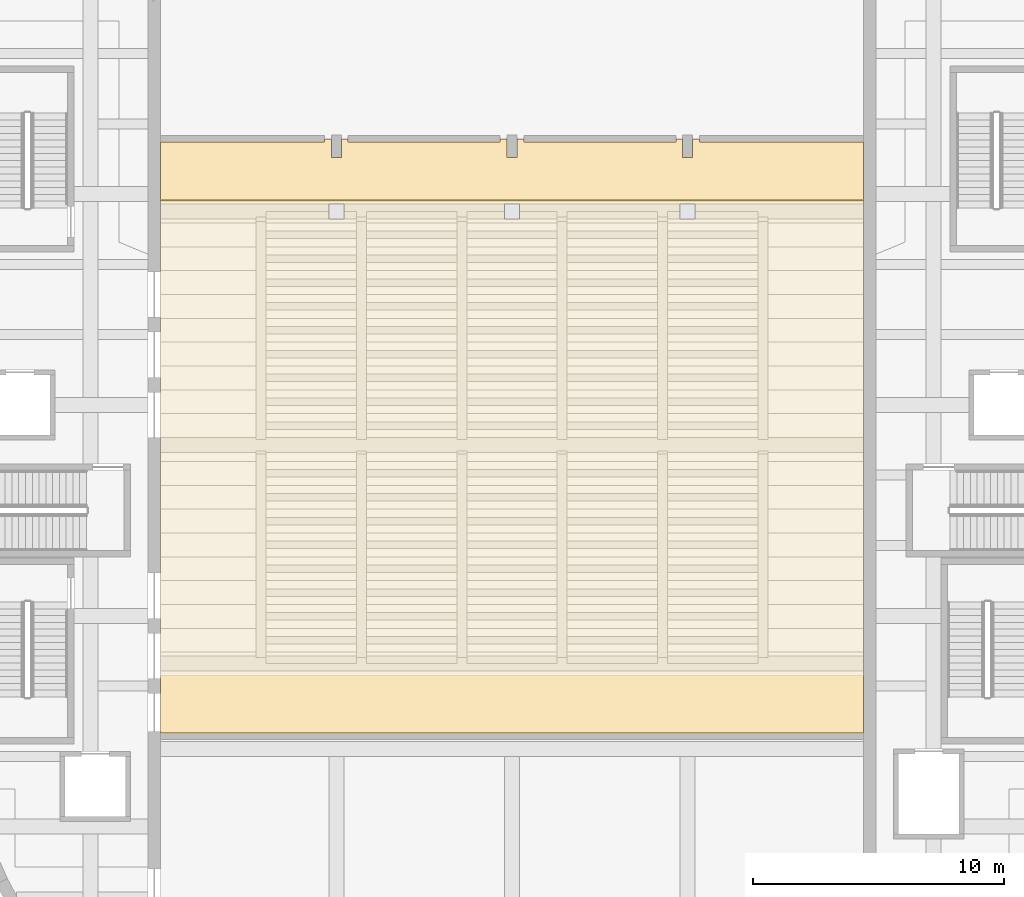
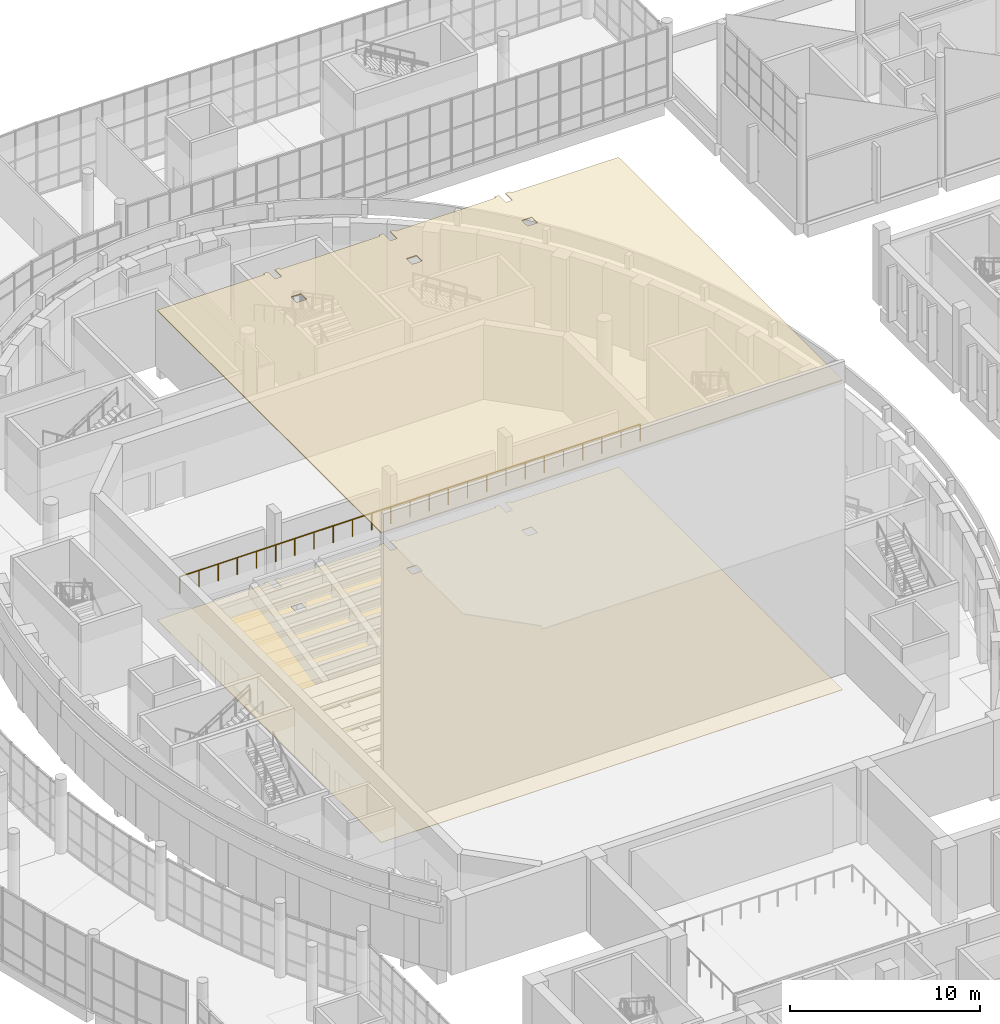
# One storey, part 103 of 119: 2 coverings, 1 railing.
"""IFC4 building model written with IfcOpenShell, lengths in metres."""

import ifcopenshell
import ifcopenshell.guid

model = None  # the IFC model being written
_history = None  # IfcOwnerHistory: only IFC2X3 demands one
_inside = {}  # id of a spatial element -> (the spatial element, [elements in it])
_under = {}  # id of a project, library or spatial element -> (it, [spatial elements below it])
_declared = {}  # id of a project -> (the project, [libraries it declares])
_typed = {}  # id of a type object -> (the type object, [elements of that type])
_made_of = {}  # id of a material, layer set ... -> (it, [elements and type objects made of it])


def new_model(schema):
    """Start an empty IFC model of exactly this schema.

    Asked for "IFC4X3", IfcOpenShell would pick the latest addendum, in which some entities
    have other attributes; the version numbers below select the first issue.
    IFC2X3 requires an IfcOwnerHistory on every rooted entity: one is made here for all.
    """
    global model, _history
    if schema == "IFC4X3":
        model = ifcopenshell.file(schema_version=(4, 3, 0, 0))
    else:
        model = ifcopenshell.file(schema=schema)
    _inside.clear()
    _under.clear()
    _declared.clear()
    _typed.clear()
    _made_of.clear()
    _history = None
    if model.schema == "IFC2X3":
        org = make("IfcOrganization", Name="unknown")
        user = make(
            "IfcPersonAndOrganization",
            ThePerson=make("IfcPerson", FamilyName="unknown"),
            TheOrganization=org,
        )
        app = make(
            "IfcApplication",
            ApplicationDeveloper=org,
            Version="unknown",
            ApplicationFullName="unknown",
            ApplicationIdentifier="unknown",
        )
        _history = make(
            "IfcOwnerHistory",
            OwningUser=user,
            OwningApplication=app,
            ChangeAction="ADDED",
            CreationDate=0,
        )
    return model


def make(cls, **values):
    """One entity of the class cls with the attributes given. An attribute that is None is left unset."""
    return model.create_entity(
        cls, **{name: value for name, value in values.items() if value is not None}
    )


def rooted(cls, **values):
    """An entity with a GlobalId (a new one), such as an element, a storey or a relation."""
    return make(cls, GlobalId=ifcopenshell.guid.new(), OwnerHistory=_history, **values)


def si_unit(unit_type, name, prefix=None):
    """IfcSIUnit, for example si_unit("LENGTHUNIT", "METRE", prefix="MILLI")."""
    return make("IfcSIUnit", UnitType=unit_type, Prefix=prefix, Name=name)


def assignment(units):
    """IfcUnitAssignment: the units of a project."""
    return None if units is None else make("IfcUnitAssignment", Units=units)


def point(xyz):
    """IfcCartesianPoint."""
    return None if xyz is None else make("IfcCartesianPoint", Coordinates=xyz)


def direction(xyz):
    """IfcDirection."""
    return None if xyz is None else make("IfcDirection", DirectionRatios=xyz)


def frame(location, z_axis=None, x_axis=None):
    """IfcAxis2Placement3D, a coordinate frame: its origin and axes. An axis left out is left unset."""
    return make(
        "IfcAxis2Placement3D",
        Location=point(location),
        Axis=direction(z_axis),
        RefDirection=direction(x_axis),
    )


def frame_2d(location, x_axis=None):
    """IfcAxis2Placement2D, a coordinate frame in the plane: its origin and x axis."""
    return make(
        "IfcAxis2Placement2D", Location=point(location), RefDirection=direction(x_axis)
    )


def origin():
    """The frame at (0, 0, 0) with its axes left unset."""
    return frame((0.0, 0.0, 0.0))


def origin_2d():
    """The frame at (0, 0) in the plane with its x axis left unset."""
    return frame_2d((0.0, 0.0))


def place(relative_to, where):
    """IfcLocalPlacement: puts the frame where relative to a parent placement (None: the world)."""
    return make(
        "IfcLocalPlacement", PlacementRelTo=relative_to, RelativePlacement=where
    )


def context(
    kind, dimensions, precision=None, world=None, true_north=None, identifier=None
):
    """IfcGeometricRepresentationContext, for example the 3D "Model" context."""
    return make(
        "IfcGeometricRepresentationContext",
        ContextIdentifier=identifier,
        ContextType=kind,
        CoordinateSpaceDimension=dimensions,
        Precision=precision,
        WorldCoordinateSystem=world,
        TrueNorth=true_north,
    )


def subcontext(parent, identifier, kind, view, scale=None):
    """IfcGeometricRepresentationSubContext, for example "Body" below "Model"."""
    return make(
        "IfcGeometricRepresentationSubContext",
        ContextIdentifier=identifier,
        ContextType=kind,
        ParentContext=parent,
        TargetScale=scale,
        TargetView=view,
    )


def project(units=None, contexts=None):
    """IfcProject with its units and contexts."""
    return rooted(
        "IfcProject",
        Name="project",
        RepresentationContexts=contexts,
        UnitsInContext=assignment(units),
    )


def spatial(cls, under=None, at=None, **own):
    """A site, building, storey or space (cls), placed at a placement, below another one or the project."""
    s = rooted(cls, ObjectPlacement=at, **own)
    if under is not None:
        _under.setdefault(under.id(), (under, []))[1].append(s)
    return s


def polyline(points):
    """IfcPolyline through the points."""
    return make("IfcPolyline", Points=[point(p) for p in points])


def profile(cls, at=None, kind="AREA", **sizes):
    """A parametric profile (cls). Its sizes go by their IFC names, for example OverallWidth=200.0."""
    return make(cls, ProfileType=kind, Position=at, **sizes)


def circle(**sizes):
    """IfcCircleProfileDef."""
    return profile("IfcCircleProfileDef", **sizes)


def outline(outer, holes=None, kind="AREA"):
    """IfcArbitraryClosedProfileDef: a profile drawn as a closed curve; with holes, ...WithVoids."""
    if holes is None:
        return make("IfcArbitraryClosedProfileDef", ProfileType=kind, OuterCurve=outer)
    return make(
        "IfcArbitraryProfileDefWithVoids",
        ProfileType=kind,
        OuterCurve=outer,
        InnerCurves=holes,
    )


def extrude(swept, where, along, depth):
    """IfcExtrudedAreaSolid: the profile swept, set in the frame where, extruded along a direction by depth."""
    return make(
        "IfcExtrudedAreaSolid",
        SweptArea=swept,
        Position=where,
        ExtrudedDirection=direction(along),
        Depth=depth,
    )


def shape(context_of_items, identifier, shape_type, items):
    """IfcShapeRepresentation: the items that make up one representation, for example the "Body"."""
    return make(
        "IfcShapeRepresentation",
        ContextOfItems=context_of_items,
        RepresentationIdentifier=identifier,
        RepresentationType=shape_type,
        Items=items,
    )


def material(Name=None, Category=None):
    """IfcMaterial."""
    return make("IfcMaterial", Name=Name, Category=Category)


def layer(
    of_material, thickness, ventilated=None, Name=None, Category=None, Priority=None
):
    """IfcMaterialLayer: one layer of a wall or slab, of a material (None: an air gap)."""
    return make(
        "IfcMaterialLayer",
        Material=of_material,
        LayerThickness=thickness,
        IsVentilated=ventilated,
        Name=Name,
        Category=Category,
        Priority=Priority,
    )


def layer_set(layers, Name=None):
    """IfcMaterialLayerSet."""
    return make("IfcMaterialLayerSet", MaterialLayers=layers, LayerSetName=Name)


def made_of(thing, what):
    """Note that an element or type object is made of a material, layer set ...; save() writes the relation."""
    if what is not None:
        _made_of.setdefault(what.id(), (what, []))[1].append(thing)
    return thing


def type_object(cls, material=None, **own):
    """A type object (cls), such as IfcWallType, which elements share."""
    return made_of(rooted(cls, **own), material)


def element(
    cls,
    number,
    at=None,
    inside=None,
    cuts=None,
    type_object=None,
    material=None,
    context=None,
    identifier="Body",
    shape_type=None,
    held_by="IfcProductDefinitionShape",
    body=None,
    shapes=None,
    **own,
):
    """One element of the class cls, such as IfcWall. Its Tag is "e" and its number.

    at: its placement. inside: the storey or other place that contains it. cuts: it is an
    opening in that element (IfcRelVoidsElement). A single representation is given by context,
    identifier, shape_type and body (its items); several are given by shapes. held_by: the class
    of the entity that holds the representations. save() writes the other relations.
    """
    e = rooted(cls, Tag="e%d" % number, ObjectPlacement=at, **own)
    if body is not None:
        shapes = [shape(context, identifier, shape_type, body)]
    if shapes is not None:
        e.Representation = make(held_by, Representations=shapes)
    if inside is not None:
        _inside.setdefault(inside.id(), (inside, []))[1].append(e)
    if cuts is not None:
        rooted(
            "IfcRelVoidsElement", RelatingBuildingElement=cuts, RelatedOpeningElement=e
        )
    if type_object is not None:
        _typed.setdefault(type_object.id(), (type_object, []))[1].append(e)
    return made_of(e, material)


def aggregate(whole, parts):
    """IfcRelAggregates: a whole, such as a stair, and the parts it consists of."""
    return rooted("IfcRelAggregates", RelatingObject=whole, RelatedObjects=parts)


def save(model, path):
    """Write the relations noted so far, then the file.

    IfcRelAggregates (storeys below a building ...), IfcRelContainedInSpatialStructure (elements
    in a storey), IfcRelDefinesByType, IfcRelAssociatesMaterial and IfcRelDeclares: one each for
    every whole, place, type object, material and project.
    """
    for whole, parts in _under.values():
        aggregate(whole, parts)
    for where, things in _inside.values():
        rooted(
            "IfcRelContainedInSpatialStructure",
            RelatedElements=things,
            RelatingStructure=where,
        )
    for kind, things in _typed.values():
        rooted("IfcRelDefinesByType", RelatedObjects=things, RelatingType=kind)
    for what, things in _made_of.values():
        rooted("IfcRelAssociatesMaterial", RelatedObjects=things, RelatingMaterial=what)
    for by, libraries in _declared.values():
        rooted("IfcRelDeclares", RelatingContext=by, RelatedDefinitions=libraries)
    model.write(path)


model = new_model("IFC4")

# Units and contexts
model_context = context("Model", 3, precision=1e-05, world=origin(), true_north=direction((0.0, 1.0)))
body_context = subcontext(model_context, "Body", "Model", "MODEL_VIEW")
ifc_project = project(units=[si_unit("LENGTHUNIT", "METRE"), si_unit("AREAUNIT", "SQUARE_METRE"), si_unit("VOLUMEUNIT", "CUBIC_METRE"), si_unit("PLANEANGLEUNIT", "RADIAN"), si_unit("MASSUNIT", "GRAM", prefix="KILO")], contexts=[model_context])

# Site, building, storey
site_placement = place(None, origin())
site = spatial("IfcSite", under=ifc_project, at=site_placement, CompositionType="ELEMENT")
building_placement = place(site_placement, origin())
building = spatial("IfcBuilding", under=site, at=building_placement, Name="Larchfold Concert Hall", CompositionType="ELEMENT")
storey_placement = place(building_placement, frame((0.0, 0.0, 4.800048828125)))
storey = spatial("IfcBuildingStorey", under=building, at=storey_placement, Name="L01", CompositionType="ELEMENT", Elevation=4.800048828125)

# Coverings
ifc_material_1 = material(Name="Acoustic timber lining", Category="wood")
ifc_layer_1 = layer(ifc_material_1, 0.06005859375)
ifc_layer_set_1 = layer_set([ifc_layer_1], Name="Acoustic timber lining")
covering_type_1 = type_object("IfcCoveringType", Name="Ceiling acoustic timber lining 60", PredefinedType="CEILING", material=ifc_layer_set_1)
covering_1_placement = place(storey_placement, frame((0.0, 0.0, 19.83984375)))
element("IfcCovering", 1, at=covering_1_placement, inside=storey, type_object=covering_type_1, Name="Ceiling Concert Hall Stalls", PredefinedType="CEILING", context=body_context, shape_type="SweptSolid", body=[
    extrude(outline(polyline([(28.60009765625, 71.52490234375), (56.60009765625, 71.52490234375), (56.60009765625, 95.074951171875), (50.070068359375, 95.074951171875), (50.070068359375, 95.199951171875), (49.800048828125, 95.199951171875), (49.800048828125, 94.449951171875), (49.400146484375, 94.449951171875), (49.400146484375, 95.199951171875), (49.130126953125, 95.199951171875), (49.130126953125, 95.074951171875), (43.070068359375, 95.074951171875), (43.070068359375, 95.199951171875), (42.800048828125, 95.199951171875), (42.800048828125, 94.449951171875), (42.400146484375, 94.449951171875), (42.400146484375, 95.199951171875), (42.130126953125, 95.199951171875), (42.130126953125, 95.074951171875), (36.070068359375, 95.074951171875), (36.070068359375, 95.199951171875), (35.800048828125, 95.199951171875), (35.800048828125, 94.449951171875), (35.400146484375, 94.449951171875), (35.400146484375, 95.199951171875), (35.130126953125, 95.199951171875), (35.130126953125, 95.074951171875), (28.60009765625, 95.074951171875), (28.60009765625, 71.52490234375)]), holes=[polyline([(49.900146484375, 92.60009765625), (49.900146484375, 92.0), (49.300048828125, 92.0), (49.300048828125, 92.60009765625), (49.900146484375, 92.60009765625)]), polyline([(42.900146484375, 92.60009765625), (42.900146484375, 92.0), (42.300048828125, 92.0), (42.300048828125, 92.60009765625), (42.900146484375, 92.60009765625)]), polyline([(35.900146484375, 92.60009765625), (35.900146484375, 92.0), (35.300048828125, 92.0), (35.300048828125, 92.60009765625), (35.900146484375, 92.60009765625)])]), origin(), (0.0, 0.0, 1.0), 0.06005859375),
])
ifc_material_2 = material(Name="Oak boards on battens")
ifc_layer_2 = layer(ifc_material_2, 0.02490234375)
ifc_layer_set_2 = layer_set([ifc_layer_2], Name="Oak boards on battens")
covering_type_2 = type_object("IfcCoveringType", Name="Floor finish timber boards 25", PredefinedType="FLOORING", material=ifc_layer_set_2)
covering_2_placement = place(storey_placement, origin())
element("IfcCovering", 2, at=covering_2_placement, inside=storey, type_object=covering_type_2, Name="Floor finish Concert Hall Stalls", PredefinedType="FLOORING", context=body_context, shape_type="SweptSolid", body=[
    extrude(outline(polyline([(28.60009765625, 71.52490234375), (56.60009765625, 71.52490234375), (56.60009765625, 95.074951171875), (50.070068359375, 95.074951171875), (50.070068359375, 95.199951171875), (49.800048828125, 95.199951171875), (49.800048828125, 94.449951171875), (49.400146484375, 94.449951171875), (49.400146484375, 95.199951171875), (49.130126953125, 95.199951171875), (49.130126953125, 95.074951171875), (43.070068359375, 95.074951171875), (43.070068359375, 95.199951171875), (42.800048828125, 95.199951171875), (42.800048828125, 94.449951171875), (42.400146484375, 94.449951171875), (42.400146484375, 95.199951171875), (42.130126953125, 95.199951171875), (42.130126953125, 95.074951171875), (36.070068359375, 95.074951171875), (36.070068359375, 95.199951171875), (35.800048828125, 95.199951171875), (35.800048828125, 94.449951171875), (35.400146484375, 94.449951171875), (35.400146484375, 95.199951171875), (35.130126953125, 95.199951171875), (35.130126953125, 95.074951171875), (28.60009765625, 95.074951171875), (28.60009765625, 71.52490234375)]), holes=[polyline([(49.900146484375, 92.60009765625), (49.900146484375, 92.0), (49.300048828125, 92.0), (49.300048828125, 92.60009765625), (49.900146484375, 92.60009765625)]), polyline([(42.900146484375, 92.60009765625), (42.900146484375, 92.0), (42.300048828125, 92.0), (42.300048828125, 92.60009765625), (42.900146484375, 92.60009765625)]), polyline([(35.900146484375, 92.60009765625), (35.900146484375, 92.0), (35.300048828125, 92.0), (35.300048828125, 92.60009765625), (35.900146484375, 92.60009765625)])]), origin(), (0.0, 0.0, 1.0), 0.02490234375),
])

# Railing
ifc_material_3 = material(Name="Stainless steel balustrade", Category="steel")
railing_type = type_object("IfcRailingType", Name="Stalls guard 1100", PredefinedType="GUARDRAIL", material=ifc_material_3)
railing_placement = place(storey_placement, frame((28.6298828125, 92.75, 3.114013671875)))
element("IfcRailing", 3, at=railing_placement, inside=storey, type_object=railing_type, Name="Guard GR0118", PredefinedType="GUARDRAIL", context=body_context, shape_type="SweptSolid", body=[
    extrude(circle(Radius=0.02392578125, at=origin_2d()), frame((0.0, 0.0, 1.076171875), z_axis=(1.0, 0.0, 0.0), x_axis=(0.0, 1.0, 0.0)), (0.0, 0.0, 1.0), 27.940185546875),
    extrude(circle(Radius=0.02099609375, at=origin_2d()), origin(), (0.0, 0.0, 1.0), 1.052001953125),
    extrude(circle(Radius=0.02099609375, at=origin_2d()), frame((1.1640625, 0.0, 0.0)), (0.0, 0.0, 1.0), 1.052001953125),
    extrude(circle(Radius=0.02099609375, at=origin_2d()), frame((2.328369140625, 0.0, 0.0)), (0.0, 0.0, 1.0), 1.052001953125),
    extrude(circle(Radius=0.02099609375, at=origin_2d()), frame((3.492431640625, 0.0, 0.0)), (0.0, 0.0, 1.0), 1.052001953125),
    extrude(circle(Radius=0.02099609375, at=origin_2d()), frame((4.65673828125, 0.0, 0.0)), (0.0, 0.0, 1.0), 1.052001953125),
    extrude(circle(Radius=0.02099609375, at=origin_2d()), frame((5.82080078125, 0.0, 0.0)), (0.0, 0.0, 1.0), 1.052001953125),
    extrude(circle(Radius=0.02099609375, at=origin_2d()), frame((6.985107421875, 0.0, 0.0)), (0.0, 0.0, 1.0), 1.052001953125),
    extrude(circle(Radius=0.02099609375, at=origin_2d()), frame((8.149169921875, 0.0, 0.0)), (0.0, 0.0, 1.0), 1.052001953125),
    extrude(circle(Radius=0.02099609375, at=origin_2d()), frame((9.3134765625, 0.0, 0.0)), (0.0, 0.0, 1.0), 1.052001953125),
    extrude(circle(Radius=0.02099609375, at=origin_2d()), frame((10.4775390625, 0.0, 0.0)), (0.0, 0.0, 1.0), 1.052001953125),
    extrude(circle(Radius=0.02099609375, at=origin_2d()), frame((11.641845703125, 0.0, 0.0)), (0.0, 0.0, 1.0), 1.052001953125),
    extrude(circle(Radius=0.02099609375, at=origin_2d()), frame((12.805908203125, 0.0, 0.0)), (0.0, 0.0, 1.0), 1.052001953125),
    extrude(circle(Radius=0.02099609375, at=origin_2d()), frame((13.97021484375, 0.0, 0.0)), (0.0, 0.0, 1.0), 1.052001953125),
    extrude(circle(Radius=0.02099609375, at=origin_2d()), frame((15.13427734375, 0.0, 0.0)), (0.0, 0.0, 1.0), 1.052001953125),
    extrude(circle(Radius=0.02099609375, at=origin_2d()), frame((16.29833984375, 0.0, 0.0)), (0.0, 0.0, 1.0), 1.052001953125),
    extrude(circle(Radius=0.02099609375, at=origin_2d()), frame((17.462646484375, 0.0, 0.0)), (0.0, 0.0, 1.0), 1.052001953125),
    extrude(circle(Radius=0.02099609375, at=origin_2d()), frame((18.626708984375, 0.0, 0.0)), (0.0, 0.0, 1.0), 1.052001953125),
    extrude(circle(Radius=0.02099609375, at=origin_2d()), frame((19.791015625, 0.0, 0.0)), (0.0, 0.0, 1.0), 1.052001953125),
    extrude(circle(Radius=0.02099609375, at=origin_2d()), frame((20.955078125, 0.0, 0.0)), (0.0, 0.0, 1.0), 1.052001953125),
    extrude(circle(Radius=0.02099609375, at=origin_2d()), frame((22.119384765625, 0.0, 0.0)), (0.0, 0.0, 1.0), 1.052001953125),
    extrude(circle(Radius=0.02099609375, at=origin_2d()), frame((23.283447265625, 0.0, 0.0)), (0.0, 0.0, 1.0), 1.052001953125),
    extrude(circle(Radius=0.02099609375, at=origin_2d()), frame((24.44775390625, 0.0, 0.0)), (0.0, 0.0, 1.0), 1.052001953125),
    extrude(circle(Radius=0.02099609375, at=origin_2d()), frame((25.61181640625, 0.0, 0.0)), (0.0, 0.0, 1.0), 1.052001953125),
    extrude(circle(Radius=0.02099609375, at=origin_2d()), frame((26.776123046875, 0.0, 0.0)), (0.0, 0.0, 1.0), 1.052001953125),
    extrude(circle(Radius=0.02099609375, at=origin_2d()), frame((27.940185546875, 0.0, 0.0)), (0.0, 0.0, 1.0), 1.052001953125),
])

save(model, "model.ifc")
